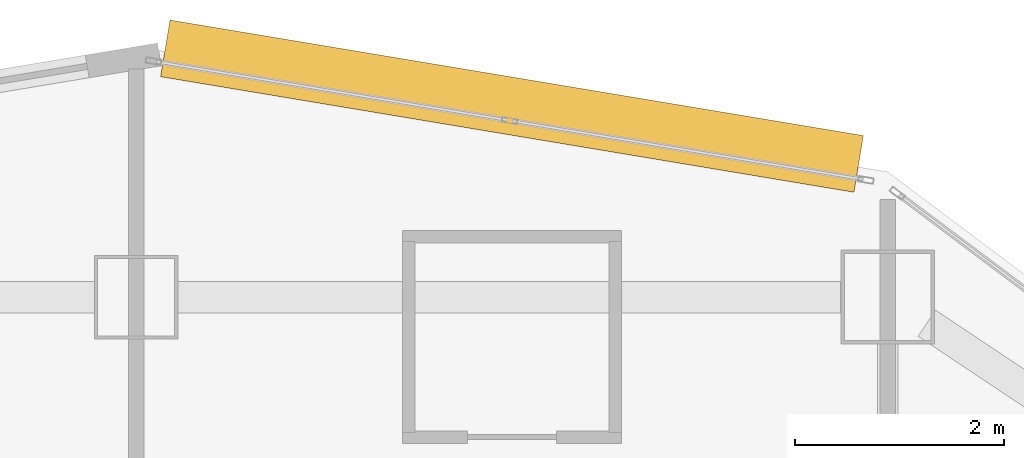
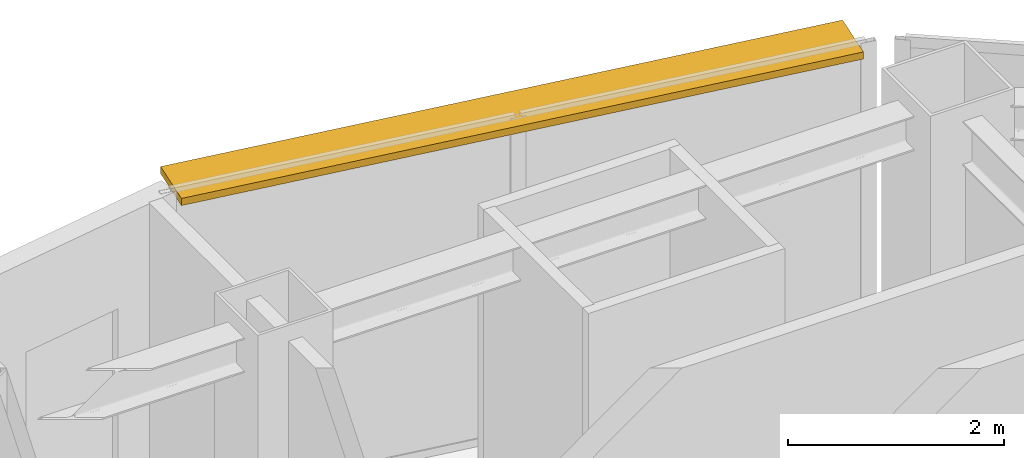
# One storey, part 12 of 12: 1 shading device.
"""IFC4 building model written with IfcOpenShell, lengths in metres."""

from ifc_helpers import new_model, si_unit, direction, frame, origin, origin_2d, place, context, subcontext, project, spatial, rectangle, extrude, material, layer, layer_set, type_object, element, save


model = new_model("IFC4")

# Units and contexts
model_context = context("Model", 3, precision=1e-05, world=origin(), true_north=direction((0.0, 1.0)))
body_context = subcontext(model_context, "Body", "Model", "MODEL_VIEW")
ifc_project = project(units=[si_unit("LENGTHUNIT", "METRE"), si_unit("AREAUNIT", "SQUARE_METRE"), si_unit("VOLUMEUNIT", "CUBIC_METRE"), si_unit("PLANEANGLEUNIT", "RADIAN"), si_unit("MASSUNIT", "GRAM", prefix="KILO")], contexts=[model_context])

# Site, building, storey
site_placement = place(None, origin())
site = spatial("IfcSite", under=ifc_project, at=site_placement, CompositionType="ELEMENT")
building_placement = place(site_placement, origin())
building = spatial("IfcBuilding", under=site, at=building_placement, Name="Haolan Belvedere Tower", CompositionType="ELEMENT")
storey_placement = place(building_placement, frame((0.0, 0.0, 169.0)))
storey = spatial("IfcBuildingStorey", under=building, at=storey_placement, Name="L42", CompositionType="ELEMENT", Elevation=169.0)

# Shading device
ifc_material = material(Name="Anodised champagne-silver aluminium 6063-T6", Category="aluminium")
ifc_layer = layer(ifc_material, 0.080078125, Name="Anodised champagne-silver aluminium 6063-T6")
ifc_layer_set = layer_set([ifc_layer], Name="Anodised champagne-silver aluminium 6063-T6")
shading_device_type = type_object("IfcShadingDeviceType", Name="SHD-SUN-550", PredefinedType="USERDEFINED", material=ifc_layer_set)
shading_device_placement = place(storey_placement, frame((42.000732421875, 52.230224609375, 3.52001953125), z_axis=(0.0, 0.0, 1.0), x_axis=(-0.986391978972, 0.16441065604, 0.0)))
element("IfcShadingDevice", 1, at=shading_device_placement, inside=storey, type_object=shading_device_type, Name="L42 pale-metal horizontal SUNSHADE band 21.1", ObjectType="SUNSHADE", PredefinedType="USERDEFINED", context=body_context, shape_type="SweptSolid", body=[
    extrude(rectangle(XDim=6.734130859375, YDim=0.550048828125, at=origin_2d()), origin(), (0.0, 0.0, 1.0), 0.080078125),
])

save(model, "model.ifc")
